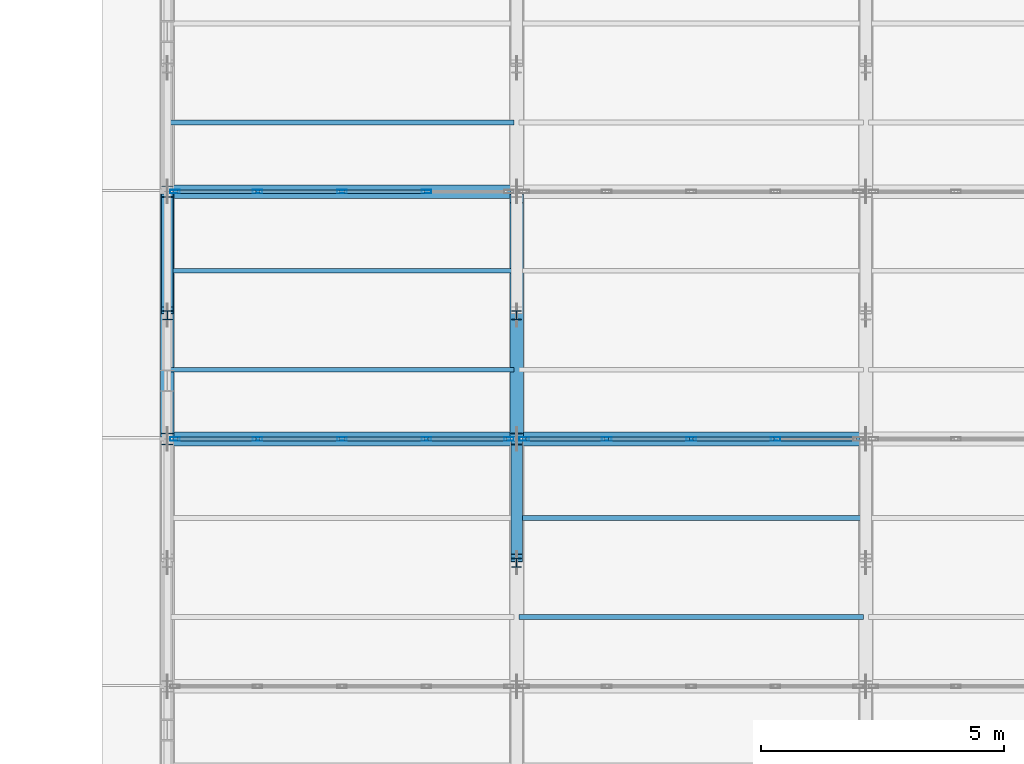
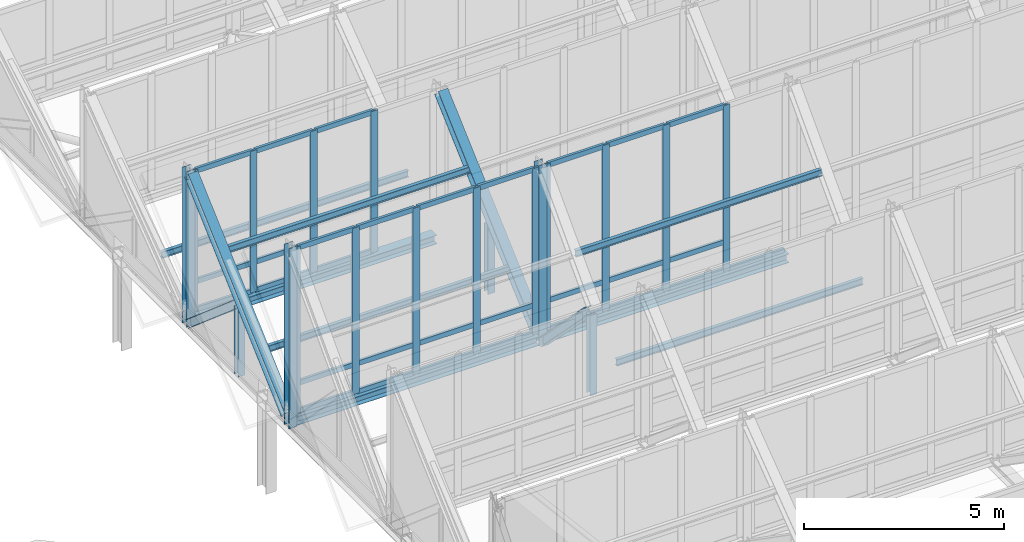
# One storey, part 44 of 157: 59 members, 3 beams, 3 elements without a shape of their own.
"""IFC4 building model written with IfcOpenShell, lengths in metres."""

from ifc_helpers import new_model, si_unit, direction, frame, origin, origin_2d, place, context, subcontext, project, spatial, hollow_rectangle, i_section, extrude, material, material_profile, profile_set, type_object, element, aggregate, save


model = new_model("IFC4")

# Units and contexts
model_context = context("Model", 3, precision=1e-05, world=origin(), true_north=direction((0.0, 1.0)))
body_context = subcontext(model_context, "Body", "Model", "MODEL_VIEW")
ifc_project = project(units=[si_unit("LENGTHUNIT", "METRE"), si_unit("AREAUNIT", "SQUARE_METRE"), si_unit("VOLUMEUNIT", "CUBIC_METRE"), si_unit("PLANEANGLEUNIT", "RADIAN"), si_unit("MASSUNIT", "GRAM", prefix="KILO")], contexts=[model_context])

# Site, building, storey
site_placement = place(None, origin())
site = spatial("IfcSite", under=ifc_project, at=site_placement, CompositionType="ELEMENT")
building_placement = place(site_placement, origin())
building = spatial("IfcBuilding", under=site, at=building_placement, Name="Suanplinth Sawtooth Commons", CompositionType="ELEMENT")
storey_placement = place(building_placement, frame((0.0, 0.0, 9.0)))
storey = spatial("IfcBuildingStorey", under=building, at=storey_placement, Name="L02", CompositionType="ELEMENT", Elevation=9.0)

# Beams
ifc_material_1 = material(Name="Steel S355JR", Category="steel")
ifc_material_profile_1 = material_profile(ifc_material_1, i_section(OverallWidth=0.280029296875, OverallDepth=0.27001953125, WebThickness=0.008056640625, FlangeThickness=0.012939453125, at=origin_2d()), Name="HEA 280")
ifc_profile_set_1 = profile_set([ifc_material_profile_1], Name="Steel S355JR")
beam_type = type_object("IfcBeamType", Name="B-16", PredefinedType="USERDEFINED", material=ifc_profile_set_1)
for number, where, z_axis, x_axis, name in (
    (1, (64.919921875, 70.800048828125, 2.820068359375), (1.0, 0.0, 0.0), (0.0, 1.0, 0.0), "Sawtooth Valley Girder T5-B1"),
    (2, (72.1201171875, 70.800048828125, 2.820068359375), (1.0, 0.0, 0.0), (0.0, 1.0, 0.0), "Sawtooth Valley Girder T5-B2"),
    (3, (64.919921875, 75.89990234375, 2.820068359375), (1.0, 0.0, 0.0), (0.0, 1.0, 0.0), "Sawtooth Valley Girder T6-B1"),
):
    element("IfcBeam", number, at=place(storey_placement, frame(where, z_axis=z_axis, x_axis=x_axis)), inside=storey, type_object=beam_type, Name=name, ObjectType="GIRDER", PredefinedType="USERDEFINED", context=body_context, shape_type="SweptSolid", body=[
        extrude(i_section(OverallWidth=0.280029296875, OverallDepth=0.27001953125, WebThickness=0.008056640625, FlangeThickness=0.012939453125, at=origin_2d()), origin(), (0.0, 0.0, 1.0), 6.9599609375),
    ])

# Members
ifc_material_profile_2 = material_profile(ifc_material_1, i_section(OverallWidth=0.280029296875, OverallDepth=0.280029296875, WebThickness=0.010498046875, FlangeThickness=0.01806640625, at=origin_2d()), Name="HEB 280")
ifc_profile_set_2 = profile_set([ifc_material_profile_2], Name="Steel S355JR")
member_type_1 = type_object("IfcMemberType", Name="M-02", PredefinedType="CHORD", material=ifc_profile_set_2)
for number, where, z_axis, x_axis, name in (
    (4, (64.800048828125, 70.93994140625, 2.919921875), (0.0, 0.740839311711, 0.671682301556), (-1.0, 0.0, 0.0), "Sawtooth Truss T1 Top Chord 5"),
    (5, (72.0, 70.93994140625, 2.919921875), (0.0, 0.740839311711, 0.671682301556), (-1.0, 0.0, 0.0), "Sawtooth Truss T2 Top Chord 5"),
):
    element("IfcMember", number, at=place(storey_placement, frame(where, z_axis=z_axis, x_axis=x_axis)), inside=storey, type_object=member_type_1, Name=name, PredefinedType="CHORD", context=body_context, shape_type="SweptSolid", body=[
        extrude(i_section(OverallWidth=0.280029296875, OverallDepth=0.280029296875, WebThickness=0.010498046875, FlangeThickness=0.01806640625, at=origin_2d()), origin(), (0.0, 0.0, 1.0), 6.50634765625),
    ])
ifc_material_profile_3 = material_profile(ifc_material_1, i_section(OverallWidth=0.239990234375, OverallDepth=0.22998046875, WebThickness=0.007568359375, FlangeThickness=0.011962890625, at=origin_2d()), Name="HEA 240")
ifc_profile_set_3 = profile_set([ifc_material_profile_3], Name="Steel S355JR")
member_type_2 = type_object("IfcMemberType", Name="M-03", PredefinedType="BRACE", material=ifc_profile_set_3)
member_1_placement = place(storey_placement, frame((64.800048828125, 73.449951171875, 4.7451171875), z_axis=(0.0, 0.759593581641, -0.65039802485), x_axis=(-1.0, 0.0, 0.0)))
element("IfcMember", 6, at=member_1_placement, inside=storey, type_object=member_type_2, Name="Sawtooth Truss T1 Web Diagonal 5", PredefinedType="BRACE", context=body_context, shape_type="SweptSolid", body=[
    extrude(i_section(OverallWidth=0.239990234375, OverallDepth=0.22998046875, WebThickness=0.007568359375, FlangeThickness=0.011962890625, at=origin_2d()), origin(), (0.0, 0.0, 1.0), 3.067626953125),
])
member_2_placement = place(storey_placement, frame((72.0, 68.35009765625, 5.1201171875), z_axis=(0.0, 0.701020432133, -0.713141187797), x_axis=(-1.0, 0.0, 0.0)))
element("IfcMember", 7, at=member_2_placement, inside=storey, type_object=member_type_2, Name="Sawtooth Truss T2 Web Diagonal 4", PredefinedType="BRACE", context=body_context, shape_type="SweptSolid", body=[
    extrude(i_section(OverallWidth=0.239990234375, OverallDepth=0.22998046875, WebThickness=0.007568359375, FlangeThickness=0.011962890625, at=origin_2d()), origin(), (0.0, 0.0, 1.0), 3.323486328125),
])
ifc_material_profile_4 = material_profile(ifc_material_1, i_section(OverallWidth=0.199951171875, OverallDepth=0.18994140625, WebThickness=0.006591796875, FlangeThickness=0.010009765625, at=origin_2d()), Name="HEA 200")
ifc_profile_set_4 = profile_set([ifc_material_profile_4], Name="Steel S355JR")
member_type_3 = type_object("IfcMemberType", Name="M-04", PredefinedType="BRACE", material=ifc_profile_set_4)
member_3_placement = place(storey_placement, frame((64.800048828125, 73.35009765625, 2.64990234375), z_axis=(0.0, 0.0, 1.0), x_axis=(1.0, 0.0, 0.0)))
element("IfcMember", 8, at=member_3_placement, inside=storey, type_object=member_type_3, Name="Sawtooth Truss T1 Mid Web Post 5", PredefinedType="BRACE", context=body_context, shape_type="SweptSolid", body=[
    extrude(i_section(OverallWidth=0.199951171875, OverallDepth=0.18994140625, WebThickness=0.006591796875, FlangeThickness=0.010009765625, at=origin_2d()), origin(), (0.0, 0.0, 1.0), 2.0751953125),
])
member_4_placement = place(storey_placement, frame((72.0, 68.25, 2.64990234375), z_axis=(0.0, 0.0, 1.0), x_axis=(1.0, 0.0, 0.0)))
element("IfcMember", 9, at=member_4_placement, inside=storey, type_object=member_type_3, Name="Sawtooth Truss T2 Mid Web Post 4", PredefinedType="BRACE", context=body_context, shape_type="SweptSolid", body=[
    extrude(i_section(OverallWidth=0.199951171875, OverallDepth=0.18994140625, WebThickness=0.006591796875, FlangeThickness=0.010009765625, at=origin_2d()), origin(), (0.0, 0.0, 1.0), 2.4501953125),
])
member_5_placement = place(storey_placement, frame((72.0, 73.35009765625, 2.64990234375), z_axis=(0.0, 0.0, 1.0), x_axis=(1.0, 0.0, 0.0)))
element("IfcMember", 10, at=member_5_placement, inside=storey, type_object=member_type_3, Name="Sawtooth Truss T2 Mid Web Post 5", PredefinedType="BRACE", context=body_context, shape_type="SweptSolid", body=[
    extrude(i_section(OverallWidth=0.199951171875, OverallDepth=0.18994140625, WebThickness=0.006591796875, FlangeThickness=0.010009765625, at=origin_2d()), origin(), (0.0, 0.0, 1.0), 2.0751953125),
])
ifc_material_profile_5 = material_profile(ifc_material_1, i_section(OverallWidth=0.239990234375, OverallDepth=0.239990234375, WebThickness=0.010009765625, FlangeThickness=0.01708984375, at=origin_2d()), Name="HEB 240")
ifc_profile_set_5 = profile_set([ifc_material_profile_5], Name="Steel S355JR")
member_type_4 = type_object("IfcMemberType", Name="M-05", PredefinedType="POST", material=ifc_profile_set_5)
member_6_placement = place(storey_placement, frame((64.800048828125, 70.800048828125, 2.64990234375), z_axis=(0.0, 0.0, 1.0), x_axis=(1.0, 0.0, 0.0)))
element("IfcMember", 11, at=member_6_placement, inside=storey, type_object=member_type_4, Name="Sawtooth Truss T1 Clerestory Post 4", PredefinedType="POST", context=body_context, shape_type="SweptSolid", body=[
    extrude(i_section(OverallWidth=0.239990234375, OverallDepth=0.239990234375, WebThickness=0.010009765625, FlangeThickness=0.01708984375, at=origin_2d()), origin(), (0.0, 0.0, 1.0), 5.489990234375),
])
member_7_placement = place(storey_placement, frame((64.800048828125, 75.89990234375, 2.64990234375), z_axis=(0.0, 0.0, 1.0), x_axis=(1.0, 0.0, 0.0)))
element("IfcMember", 12, at=member_7_placement, inside=storey, type_object=member_type_4, Name="Sawtooth Truss T1 Clerestory Post 5", PredefinedType="POST", context=body_context, shape_type="SweptSolid", body=[
    extrude(i_section(OverallWidth=0.239990234375, OverallDepth=0.239990234375, WebThickness=0.010009765625, FlangeThickness=0.01708984375, at=origin_2d()), origin(), (0.0, 0.0, 1.0), 4.739990234375),
])
member_8_placement = place(storey_placement, frame((72.0, 70.800048828125, 2.64990234375), z_axis=(0.0, 0.0, 1.0), x_axis=(1.0, 0.0, 0.0)))
element("IfcMember", 13, at=member_8_placement, inside=storey, type_object=member_type_4, Name="Sawtooth Truss T2 Clerestory Post 4", PredefinedType="POST", context=body_context, shape_type="SweptSolid", body=[
    extrude(i_section(OverallWidth=0.239990234375, OverallDepth=0.239990234375, WebThickness=0.010009765625, FlangeThickness=0.01708984375, at=origin_2d()), origin(), (0.0, 0.0, 1.0), 5.489990234375),
])
ifc_material_2 = material(Name="Steel SS400", Category="steel")
ifc_material_profile_6 = material_profile(ifc_material_2, i_section(OverallWidth=0.10009765625, OverallDepth=0.199951171875, WebThickness=0.005615234375, FlangeThickness=0.008544921875, at=origin_2d()), Name="IPE 200")
ifc_profile_set_6 = profile_set([ifc_material_profile_6], Name="Steel SS400")
member_type_5 = type_object("IfcMemberType", Name="M-06", PredefinedType="PURLIN", material=ifc_profile_set_6)
for number, where, z_axis, x_axis, name in (
    (14, (72.050048828125, 67.1279296875, 4.2587890625), (1.0, 0.0, 0.0), (0.0, 1.0, 0.0), "Sawtooth Roof Purlin T4-B2-P1"),
    (15, (72.050048828125, 69.16796875, 6.3388671875), (1.0, 0.0, 0.0), (0.0, 1.0, 0.0), "Sawtooth Roof Purlin T4-B2-P2"),
    (16, (64.85009765625, 72.22802734375, 4.067138671875), (1.0, 0.0, 0.0), (0.0, 1.0, 0.0), "Sawtooth Roof Purlin T5-B1-P1"),
    (17, (64.85009765625, 74.26806640625, 5.84716796875), (1.0, 0.0, 0.0), (0.0, 1.0, 0.0), "Sawtooth Roof Purlin T5-B1-P2"),
    (18, (64.85009765625, 77.327880859375, 3.87353515625), (1.0, 0.0, 0.0), (0.0, 1.0, 0.0), "Sawtooth Roof Purlin T6-B1-P1"),
):
    element("IfcMember", number, at=place(storey_placement, frame(where, z_axis=z_axis, x_axis=x_axis)), inside=storey, type_object=member_type_5, Name=name, PredefinedType="PURLIN", context=body_context, shape_type="SweptSolid", body=[
        extrude(i_section(OverallWidth=0.10009765625, OverallDepth=0.199951171875, WebThickness=0.005615234375, FlangeThickness=0.008544921875, at=origin_2d()), origin(), (0.0, 0.0, 1.0), 7.099853515625),
    ])

# Curtain wall, members
ifc_material_3 = material(Name="Anodized aluminium and low-E glazing", Category="aluminium")
curtain_wall_type = type_object("IfcCurtainWallType", Name="CW-03", PredefinedType="USERDEFINED", material=ifc_material_3)
curtain_wall_1_placement = place(storey_placement, origin())
curtain_wall_1 = element("IfcCurtainWall", 19, at=curtain_wall_1_placement, inside=storey, type_object=curtain_wall_type, Name="Curtain Wall CW-SAW-T4-B1", ObjectType="CURTAIN WALL", PredefinedType="USERDEFINED")
ifc_material_4 = material(Name="Anodized aluminium 6063-T6", Category="aluminium")
ifc_material_profile_7 = material_profile(ifc_material_4, hollow_rectangle(XDim=0.074951171875, YDim=0.199951171875, WallThickness=0.0048828125, at=origin_2d()), Name="ALU-MUL 75x200")
ifc_profile_set_7 = profile_set([ifc_material_profile_7], Name="Anodized aluminium 6063-T6")
member_type_6 = type_object("IfcMemberType", Name="M-14", PredefinedType="MULLION", material=ifc_profile_set_7)
member_9_placement = place(storey_placement, frame((64.95751953125, 70.800048828125, 2.97998046875), z_axis=(0.0, 0.0, 1.0), x_axis=(0.0, 1.0, 0.0)))
member_9 = element("IfcMember", 20, at=member_9_placement, type_object=member_type_6, Name="CW-03 mullion 1", PredefinedType="MULLION", context=body_context, shape_type="SweptSolid", body=[
    extrude(hollow_rectangle(XDim=0.074951171875, YDim=0.199951171875, WallThickness=0.0048828125, at=origin_2d()), origin(), (0.0, 0.0, 1.0), 5.06005859375),
])
member_10_placement = place(storey_placement, frame((66.659912109375, 70.800048828125, 2.97998046875), z_axis=(0.0, 0.0, 1.0), x_axis=(0.0, 1.0, 0.0)))
member_10 = element("IfcMember", 21, at=member_10_placement, type_object=member_type_6, Name="CW-03 mullion 2", PredefinedType="MULLION", context=body_context, shape_type="SweptSolid", body=[
    extrude(hollow_rectangle(XDim=0.074951171875, YDim=0.199951171875, WallThickness=0.0048828125, at=origin_2d()), origin(), (0.0, 0.0, 1.0), 5.06005859375),
])
member_11_placement = place(storey_placement, frame((68.39990234375, 70.800048828125, 2.97998046875), z_axis=(0.0, 0.0, 1.0), x_axis=(0.0, 1.0, 0.0)))
member_11 = element("IfcMember", 22, at=member_11_placement, type_object=member_type_6, Name="CW-03 mullion 3", PredefinedType="MULLION", context=body_context, shape_type="SweptSolid", body=[
    extrude(hollow_rectangle(XDim=0.074951171875, YDim=0.199951171875, WallThickness=0.0048828125, at=origin_2d()), origin(), (0.0, 0.0, 1.0), 5.06005859375),
])
member_12_placement = place(storey_placement, frame((70.139892578125, 70.800048828125, 2.97998046875), z_axis=(0.0, 0.0, 1.0), x_axis=(0.0, 1.0, 0.0)))
member_12 = element("IfcMember", 23, at=member_12_placement, type_object=member_type_6, Name="CW-03 mullion 4", PredefinedType="MULLION", context=body_context, shape_type="SweptSolid", body=[
    extrude(hollow_rectangle(XDim=0.074951171875, YDim=0.199951171875, WallThickness=0.0048828125, at=origin_2d()), origin(), (0.0, 0.0, 1.0), 5.06005859375),
])
member_13_placement = place(storey_placement, frame((71.842529296875, 70.800048828125, 2.97998046875), z_axis=(0.0, 0.0, 1.0), x_axis=(0.0, 1.0, 0.0)))
member_13 = element("IfcMember", 24, at=member_13_placement, type_object=member_type_6, Name="CW-03 mullion 5", PredefinedType="MULLION", context=body_context, shape_type="SweptSolid", body=[
    extrude(hollow_rectangle(XDim=0.074951171875, YDim=0.199951171875, WallThickness=0.0048828125, at=origin_2d()), origin(), (0.0, 0.0, 1.0), 5.06005859375),
])

curtain_wall_2_placement = place(storey_placement, origin())
curtain_wall_2 = element("IfcCurtainWall", 25, at=curtain_wall_2_placement, inside=storey, type_object=curtain_wall_type, Name="Curtain Wall CW-SAW-T4-B2", ObjectType="CURTAIN WALL", PredefinedType="USERDEFINED")
member_14_placement = place(storey_placement, frame((72.157470703125, 70.800048828125, 2.97998046875), z_axis=(0.0, 0.0, 1.0), x_axis=(0.0, 1.0, 0.0)))
member_14 = element("IfcMember", 26, at=member_14_placement, type_object=member_type_6, Name="CW-03 mullion 1", PredefinedType="MULLION", context=body_context, shape_type="SweptSolid", body=[
    extrude(hollow_rectangle(XDim=0.074951171875, YDim=0.199951171875, WallThickness=0.0048828125, at=origin_2d()), origin(), (0.0, 0.0, 1.0), 5.06005859375),
])
member_15_placement = place(storey_placement, frame((73.860107421875, 70.800048828125, 2.97998046875), z_axis=(0.0, 0.0, 1.0), x_axis=(0.0, 1.0, 0.0)))
member_15 = element("IfcMember", 27, at=member_15_placement, type_object=member_type_6, Name="CW-03 mullion 2", PredefinedType="MULLION", context=body_context, shape_type="SweptSolid", body=[
    extrude(hollow_rectangle(XDim=0.074951171875, YDim=0.199951171875, WallThickness=0.0048828125, at=origin_2d()), origin(), (0.0, 0.0, 1.0), 5.06005859375),
])
member_16_placement = place(storey_placement, frame((75.60009765625, 70.800048828125, 2.97998046875), z_axis=(0.0, 0.0, 1.0), x_axis=(0.0, 1.0, 0.0)))
member_16 = element("IfcMember", 28, at=member_16_placement, type_object=member_type_6, Name="CW-03 mullion 3", PredefinedType="MULLION", context=body_context, shape_type="SweptSolid", body=[
    extrude(hollow_rectangle(XDim=0.074951171875, YDim=0.199951171875, WallThickness=0.0048828125, at=origin_2d()), origin(), (0.0, 0.0, 1.0), 5.06005859375),
])
member_17_placement = place(storey_placement, frame((77.340087890625, 70.800048828125, 2.97998046875), z_axis=(0.0, 0.0, 1.0), x_axis=(0.0, 1.0, 0.0)))
member_17 = element("IfcMember", 29, at=member_17_placement, type_object=member_type_6, Name="CW-03 mullion 4", PredefinedType="MULLION", context=body_context, shape_type="SweptSolid", body=[
    extrude(hollow_rectangle(XDim=0.074951171875, YDim=0.199951171875, WallThickness=0.0048828125, at=origin_2d()), origin(), (0.0, 0.0, 1.0), 5.06005859375),
])

curtain_wall_3_placement = place(storey_placement, origin())
curtain_wall_3 = element("IfcCurtainWall", 30, at=curtain_wall_3_placement, inside=storey, type_object=curtain_wall_type, Name="Curtain Wall CW-SAW-T5-B1", ObjectType="CURTAIN WALL", PredefinedType="USERDEFINED")
member_18_placement = place(storey_placement, frame((64.95751953125, 75.89990234375, 2.97998046875), z_axis=(0.0, 0.0, 1.0), x_axis=(0.0, 1.0, 0.0)))
member_18 = element("IfcMember", 31, at=member_18_placement, type_object=member_type_6, Name="CW-03 mullion 1", PredefinedType="MULLION", context=body_context, shape_type="SweptSolid", body=[
    extrude(hollow_rectangle(XDim=0.074951171875, YDim=0.199951171875, WallThickness=0.0048828125, at=origin_2d()), origin(), (0.0, 0.0, 1.0), 4.31005859375),
])
member_19_placement = place(storey_placement, frame((66.659912109375, 75.89990234375, 2.97998046875), z_axis=(0.0, 0.0, 1.0), x_axis=(0.0, 1.0, 0.0)))
member_19 = element("IfcMember", 32, at=member_19_placement, type_object=member_type_6, Name="CW-03 mullion 2", PredefinedType="MULLION", context=body_context, shape_type="SweptSolid", body=[
    extrude(hollow_rectangle(XDim=0.074951171875, YDim=0.199951171875, WallThickness=0.0048828125, at=origin_2d()), origin(), (0.0, 0.0, 1.0), 4.31005859375),
])
member_20_placement = place(storey_placement, frame((68.39990234375, 75.89990234375, 2.97998046875), z_axis=(0.0, 0.0, 1.0), x_axis=(0.0, 1.0, 0.0)))
member_20 = element("IfcMember", 33, at=member_20_placement, type_object=member_type_6, Name="CW-03 mullion 3", PredefinedType="MULLION", context=body_context, shape_type="SweptSolid", body=[
    extrude(hollow_rectangle(XDim=0.074951171875, YDim=0.199951171875, WallThickness=0.0048828125, at=origin_2d()), origin(), (0.0, 0.0, 1.0), 4.31005859375),
])
member_21_placement = place(storey_placement, frame((70.139892578125, 75.89990234375, 2.97998046875), z_axis=(0.0, 0.0, 1.0), x_axis=(0.0, 1.0, 0.0)))
member_21 = element("IfcMember", 34, at=member_21_placement, type_object=member_type_6, Name="CW-03 mullion 4", PredefinedType="MULLION", context=body_context, shape_type="SweptSolid", body=[
    extrude(hollow_rectangle(XDim=0.074951171875, YDim=0.199951171875, WallThickness=0.0048828125, at=origin_2d()), origin(), (0.0, 0.0, 1.0), 4.31005859375),
])

# Member
ifc_material_profile_8 = material_profile(ifc_material_4, hollow_rectangle(XDim=0.074951171875, YDim=0.14990234375, WallThickness=0.00439453125, at=origin_2d()), Name="ALU-TRN 75x150")
ifc_profile_set_8 = profile_set([ifc_material_profile_8], Name="Anodized aluminium 6063-T6")
member_type_7 = type_object("IfcMemberType", Name="M-16", PredefinedType="USERDEFINED", material=ifc_profile_set_8)
member_22_placement = place(storey_placement, frame((64.9951171875, 70.800048828125, 3.017578125), z_axis=(1.0, 0.0, 0.0), x_axis=(0.0, 1.0, 0.0)))
member_22 = element("IfcMember", 35, at=member_22_placement, type_object=member_type_7, Name="CW-03 transom 1.1", ObjectType="TRANSOM", PredefinedType="USERDEFINED", context=body_context, shape_type="SweptSolid", body=[
    extrude(hollow_rectangle(XDim=0.074951171875, YDim=0.14990234375, WallThickness=0.00439453125, at=origin_2d()), origin(), (0.0, 0.0, 1.0), 1.62744140625),
])

member_23_placement = place(storey_placement, frame((64.9951171875, 70.800048828125, 3.8798828125), z_axis=(1.0, 0.0, 0.0), x_axis=(0.0, 1.0, 0.0)))
member_23 = element("IfcMember", 36, at=member_23_placement, type_object=member_type_7, Name="CW-03 transom 1.2", ObjectType="TRANSOM", PredefinedType="USERDEFINED", context=body_context, shape_type="SweptSolid", body=[
    extrude(hollow_rectangle(XDim=0.074951171875, YDim=0.14990234375, WallThickness=0.00439453125, at=origin_2d()), origin(), (0.0, 0.0, 1.0), 1.62744140625),
])

member_24_placement = place(storey_placement, frame((64.9951171875, 70.800048828125, 8.00244140625), z_axis=(1.0, 0.0, 0.0), x_axis=(0.0, 1.0, 0.0)))
member_24 = element("IfcMember", 37, at=member_24_placement, type_object=member_type_7, Name="CW-03 transom 1.3", ObjectType="TRANSOM", PredefinedType="USERDEFINED", context=body_context, shape_type="SweptSolid", body=[
    extrude(hollow_rectangle(XDim=0.074951171875, YDim=0.14990234375, WallThickness=0.00439453125, at=origin_2d()), origin(), (0.0, 0.0, 1.0), 1.62744140625),
])

member_25_placement = place(storey_placement, frame((66.697509765625, 70.800048828125, 3.017578125), z_axis=(1.0, 0.0, 0.0), x_axis=(0.0, 1.0, 0.0)))
member_25 = element("IfcMember", 38, at=member_25_placement, type_object=member_type_7, Name="CW-03 transom 2.1", ObjectType="TRANSOM", PredefinedType="USERDEFINED", context=body_context, shape_type="SweptSolid", body=[
    extrude(hollow_rectangle(XDim=0.074951171875, YDim=0.14990234375, WallThickness=0.00439453125, at=origin_2d()), origin(), (0.0, 0.0, 1.0), 1.6650390625),
])

member_26_placement = place(storey_placement, frame((66.697509765625, 70.800048828125, 3.8798828125), z_axis=(1.0, 0.0, 0.0), x_axis=(0.0, 1.0, 0.0)))
member_26 = element("IfcMember", 39, at=member_26_placement, type_object=member_type_7, Name="CW-03 transom 2.2", ObjectType="TRANSOM", PredefinedType="USERDEFINED", context=body_context, shape_type="SweptSolid", body=[
    extrude(hollow_rectangle(XDim=0.074951171875, YDim=0.14990234375, WallThickness=0.00439453125, at=origin_2d()), origin(), (0.0, 0.0, 1.0), 1.6650390625),
])

member_27_placement = place(storey_placement, frame((66.697509765625, 70.800048828125, 8.00244140625), z_axis=(1.0, 0.0, 0.0), x_axis=(0.0, 1.0, 0.0)))
member_27 = element("IfcMember", 40, at=member_27_placement, type_object=member_type_7, Name="CW-03 transom 2.3", ObjectType="TRANSOM", PredefinedType="USERDEFINED", context=body_context, shape_type="SweptSolid", body=[
    extrude(hollow_rectangle(XDim=0.074951171875, YDim=0.14990234375, WallThickness=0.00439453125, at=origin_2d()), origin(), (0.0, 0.0, 1.0), 1.6650390625),
])

member_28_placement = place(storey_placement, frame((68.4375, 70.800048828125, 3.017578125), z_axis=(1.0, 0.0, 0.0), x_axis=(0.0, 1.0, 0.0)))
member_28 = element("IfcMember", 41, at=member_28_placement, type_object=member_type_7, Name="CW-03 transom 3.1", ObjectType="TRANSOM", PredefinedType="USERDEFINED", context=body_context, shape_type="SweptSolid", body=[
    extrude(hollow_rectangle(XDim=0.074951171875, YDim=0.14990234375, WallThickness=0.00439453125, at=origin_2d()), origin(), (0.0, 0.0, 1.0), 1.6650390625),
])

member_29_placement = place(storey_placement, frame((68.4375, 70.800048828125, 3.8798828125), z_axis=(1.0, 0.0, 0.0), x_axis=(0.0, 1.0, 0.0)))
member_29 = element("IfcMember", 42, at=member_29_placement, type_object=member_type_7, Name="CW-03 transom 3.2", ObjectType="TRANSOM", PredefinedType="USERDEFINED", context=body_context, shape_type="SweptSolid", body=[
    extrude(hollow_rectangle(XDim=0.074951171875, YDim=0.14990234375, WallThickness=0.00439453125, at=origin_2d()), origin(), (0.0, 0.0, 1.0), 1.6650390625),
])

member_30_placement = place(storey_placement, frame((68.4375, 70.800048828125, 8.00244140625), z_axis=(1.0, 0.0, 0.0), x_axis=(0.0, 1.0, 0.0)))
member_30 = element("IfcMember", 43, at=member_30_placement, type_object=member_type_7, Name="CW-03 transom 3.3", ObjectType="TRANSOM", PredefinedType="USERDEFINED", context=body_context, shape_type="SweptSolid", body=[
    extrude(hollow_rectangle(XDim=0.074951171875, YDim=0.14990234375, WallThickness=0.00439453125, at=origin_2d()), origin(), (0.0, 0.0, 1.0), 1.6650390625),
])

member_31_placement = place(storey_placement, frame((70.177490234375, 70.800048828125, 3.017578125), z_axis=(1.0, 0.0, 0.0), x_axis=(0.0, 1.0, 0.0)))
member_31 = element("IfcMember", 44, at=member_31_placement, type_object=member_type_7, Name="CW-03 transom 4.1", ObjectType="TRANSOM", PredefinedType="USERDEFINED", context=body_context, shape_type="SweptSolid", body=[
    extrude(hollow_rectangle(XDim=0.074951171875, YDim=0.14990234375, WallThickness=0.00439453125, at=origin_2d()), origin(), (0.0, 0.0, 1.0), 1.62744140625),
])

member_32_placement = place(storey_placement, frame((70.177490234375, 70.800048828125, 3.8798828125), z_axis=(1.0, 0.0, 0.0), x_axis=(0.0, 1.0, 0.0)))
member_32 = element("IfcMember", 45, at=member_32_placement, type_object=member_type_7, Name="CW-03 transom 4.2", ObjectType="TRANSOM", PredefinedType="USERDEFINED", context=body_context, shape_type="SweptSolid", body=[
    extrude(hollow_rectangle(XDim=0.074951171875, YDim=0.14990234375, WallThickness=0.00439453125, at=origin_2d()), origin(), (0.0, 0.0, 1.0), 1.62744140625),
])

member_33_placement = place(storey_placement, frame((70.177490234375, 70.800048828125, 8.00244140625), z_axis=(1.0, 0.0, 0.0), x_axis=(0.0, 1.0, 0.0)))
member_33 = element("IfcMember", 46, at=member_33_placement, type_object=member_type_7, Name="CW-03 transom 4.3", ObjectType="TRANSOM", PredefinedType="USERDEFINED", context=body_context, shape_type="SweptSolid", body=[
    extrude(hollow_rectangle(XDim=0.074951171875, YDim=0.14990234375, WallThickness=0.00439453125, at=origin_2d()), origin(), (0.0, 0.0, 1.0), 1.62744140625),
])

aggregate(curtain_wall_1, [member_9, member_10, member_11, member_12, member_13, member_22, member_23, member_24, member_25, member_26, member_27, member_28, member_29, member_30, member_31, member_32, member_33])

member_34_placement = place(storey_placement, frame((72.195068359375, 70.800048828125, 3.017578125), z_axis=(1.0, 0.0, 0.0), x_axis=(0.0, 1.0, 0.0)))
member_34 = element("IfcMember", 47, at=member_34_placement, type_object=member_type_7, Name="CW-03 transom 1.1", ObjectType="TRANSOM", PredefinedType="USERDEFINED", context=body_context, shape_type="SweptSolid", body=[
    extrude(hollow_rectangle(XDim=0.074951171875, YDim=0.14990234375, WallThickness=0.00439453125, at=origin_2d()), origin(), (0.0, 0.0, 1.0), 1.62744140625),
])

member_35_placement = place(storey_placement, frame((72.195068359375, 70.800048828125, 3.8798828125), z_axis=(1.0, 0.0, 0.0), x_axis=(0.0, 1.0, 0.0)))
member_35 = element("IfcMember", 48, at=member_35_placement, type_object=member_type_7, Name="CW-03 transom 1.2", ObjectType="TRANSOM", PredefinedType="USERDEFINED", context=body_context, shape_type="SweptSolid", body=[
    extrude(hollow_rectangle(XDim=0.074951171875, YDim=0.14990234375, WallThickness=0.00439453125, at=origin_2d()), origin(), (0.0, 0.0, 1.0), 1.62744140625),
])

member_36_placement = place(storey_placement, frame((72.195068359375, 70.800048828125, 8.00244140625), z_axis=(1.0, 0.0, 0.0), x_axis=(0.0, 1.0, 0.0)))
member_36 = element("IfcMember", 49, at=member_36_placement, type_object=member_type_7, Name="CW-03 transom 1.3", ObjectType="TRANSOM", PredefinedType="USERDEFINED", context=body_context, shape_type="SweptSolid", body=[
    extrude(hollow_rectangle(XDim=0.074951171875, YDim=0.14990234375, WallThickness=0.00439453125, at=origin_2d()), origin(), (0.0, 0.0, 1.0), 1.62744140625),
])

member_37_placement = place(storey_placement, frame((73.8974609375, 70.800048828125, 3.017578125), z_axis=(1.0, 0.0, 0.0), x_axis=(0.0, 1.0, 0.0)))
member_37 = element("IfcMember", 50, at=member_37_placement, type_object=member_type_7, Name="CW-03 transom 2.1", ObjectType="TRANSOM", PredefinedType="USERDEFINED", context=body_context, shape_type="SweptSolid", body=[
    extrude(hollow_rectangle(XDim=0.074951171875, YDim=0.14990234375, WallThickness=0.00439453125, at=origin_2d()), origin(), (0.0, 0.0, 1.0), 1.6650390625),
])

member_38_placement = place(storey_placement, frame((73.8974609375, 70.800048828125, 3.8798828125), z_axis=(1.0, 0.0, 0.0), x_axis=(0.0, 1.0, 0.0)))
member_38 = element("IfcMember", 51, at=member_38_placement, type_object=member_type_7, Name="CW-03 transom 2.2", ObjectType="TRANSOM", PredefinedType="USERDEFINED", context=body_context, shape_type="SweptSolid", body=[
    extrude(hollow_rectangle(XDim=0.074951171875, YDim=0.14990234375, WallThickness=0.00439453125, at=origin_2d()), origin(), (0.0, 0.0, 1.0), 1.6650390625),
])

member_39_placement = place(storey_placement, frame((73.8974609375, 70.800048828125, 8.00244140625), z_axis=(1.0, 0.0, 0.0), x_axis=(0.0, 1.0, 0.0)))
member_39 = element("IfcMember", 52, at=member_39_placement, type_object=member_type_7, Name="CW-03 transom 2.3", ObjectType="TRANSOM", PredefinedType="USERDEFINED", context=body_context, shape_type="SweptSolid", body=[
    extrude(hollow_rectangle(XDim=0.074951171875, YDim=0.14990234375, WallThickness=0.00439453125, at=origin_2d()), origin(), (0.0, 0.0, 1.0), 1.6650390625),
])

member_40_placement = place(storey_placement, frame((75.637451171875, 70.800048828125, 3.017578125), z_axis=(1.0, 0.0, 0.0), x_axis=(0.0, 1.0, 0.0)))
member_40 = element("IfcMember", 53, at=member_40_placement, type_object=member_type_7, Name="CW-03 transom 3.1", ObjectType="TRANSOM", PredefinedType="USERDEFINED", context=body_context, shape_type="SweptSolid", body=[
    extrude(hollow_rectangle(XDim=0.074951171875, YDim=0.14990234375, WallThickness=0.00439453125, at=origin_2d()), origin(), (0.0, 0.0, 1.0), 1.6650390625),
])

member_41_placement = place(storey_placement, frame((75.637451171875, 70.800048828125, 3.8798828125), z_axis=(1.0, 0.0, 0.0), x_axis=(0.0, 1.0, 0.0)))
member_41 = element("IfcMember", 54, at=member_41_placement, type_object=member_type_7, Name="CW-03 transom 3.2", ObjectType="TRANSOM", PredefinedType="USERDEFINED", context=body_context, shape_type="SweptSolid", body=[
    extrude(hollow_rectangle(XDim=0.074951171875, YDim=0.14990234375, WallThickness=0.00439453125, at=origin_2d()), origin(), (0.0, 0.0, 1.0), 1.6650390625),
])

member_42_placement = place(storey_placement, frame((75.637451171875, 70.800048828125, 8.00244140625), z_axis=(1.0, 0.0, 0.0), x_axis=(0.0, 1.0, 0.0)))
member_42 = element("IfcMember", 55, at=member_42_placement, type_object=member_type_7, Name="CW-03 transom 3.3", ObjectType="TRANSOM", PredefinedType="USERDEFINED", context=body_context, shape_type="SweptSolid", body=[
    extrude(hollow_rectangle(XDim=0.074951171875, YDim=0.14990234375, WallThickness=0.00439453125, at=origin_2d()), origin(), (0.0, 0.0, 1.0), 1.6650390625),
])

member_43_placement = place(storey_placement, frame((77.37744140625, 70.800048828125, 3.017578125), z_axis=(1.0, 0.0, 0.0), x_axis=(0.0, 1.0, 0.0)))
member_43 = element("IfcMember", 56, at=member_43_placement, type_object=member_type_7, Name="CW-03 transom 4.1", ObjectType="TRANSOM", PredefinedType="USERDEFINED", context=body_context, shape_type="SweptSolid", body=[
    extrude(hollow_rectangle(XDim=0.074951171875, YDim=0.14990234375, WallThickness=0.00439453125, at=origin_2d()), origin(), (0.0, 0.0, 1.0), 1.62744140625),
])

aggregate(curtain_wall_2, [member_14, member_15, member_16, member_17, member_34, member_35, member_36, member_37, member_38, member_39, member_40, member_41, member_42, member_43])

member_44_placement = place(storey_placement, frame((64.9951171875, 75.89990234375, 3.017578125), z_axis=(1.0, 0.0, 0.0), x_axis=(0.0, 1.0, 0.0)))
member_44 = element("IfcMember", 57, at=member_44_placement, type_object=member_type_7, Name="CW-03 transom 1.1", ObjectType="TRANSOM", PredefinedType="USERDEFINED", context=body_context, shape_type="SweptSolid", body=[
    extrude(hollow_rectangle(XDim=0.074951171875, YDim=0.14990234375, WallThickness=0.00439453125, at=origin_2d()), origin(), (0.0, 0.0, 1.0), 1.62744140625),
])

member_45_placement = place(storey_placement, frame((64.9951171875, 75.89990234375, 3.8798828125), z_axis=(1.0, 0.0, 0.0), x_axis=(0.0, 1.0, 0.0)))
member_45 = element("IfcMember", 58, at=member_45_placement, type_object=member_type_7, Name="CW-03 transom 1.2", ObjectType="TRANSOM", PredefinedType="USERDEFINED", context=body_context, shape_type="SweptSolid", body=[
    extrude(hollow_rectangle(XDim=0.074951171875, YDim=0.14990234375, WallThickness=0.00439453125, at=origin_2d()), origin(), (0.0, 0.0, 1.0), 1.62744140625),
])

member_46_placement = place(storey_placement, frame((64.9951171875, 75.89990234375, 7.25244140625), z_axis=(1.0, 0.0, 0.0), x_axis=(0.0, 1.0, 0.0)))
member_46 = element("IfcMember", 59, at=member_46_placement, type_object=member_type_7, Name="CW-03 transom 1.3", ObjectType="TRANSOM", PredefinedType="USERDEFINED", context=body_context, shape_type="SweptSolid", body=[
    extrude(hollow_rectangle(XDim=0.074951171875, YDim=0.14990234375, WallThickness=0.00439453125, at=origin_2d()), origin(), (0.0, 0.0, 1.0), 1.62744140625),
])

member_47_placement = place(storey_placement, frame((66.697509765625, 75.89990234375, 3.017578125), z_axis=(1.0, 0.0, 0.0), x_axis=(0.0, 1.0, 0.0)))
member_47 = element("IfcMember", 60, at=member_47_placement, type_object=member_type_7, Name="CW-03 transom 2.1", ObjectType="TRANSOM", PredefinedType="USERDEFINED", context=body_context, shape_type="SweptSolid", body=[
    extrude(hollow_rectangle(XDim=0.074951171875, YDim=0.14990234375, WallThickness=0.00439453125, at=origin_2d()), origin(), (0.0, 0.0, 1.0), 1.6650390625),
])

member_48_placement = place(storey_placement, frame((66.697509765625, 75.89990234375, 3.8798828125), z_axis=(1.0, 0.0, 0.0), x_axis=(0.0, 1.0, 0.0)))
member_48 = element("IfcMember", 61, at=member_48_placement, type_object=member_type_7, Name="CW-03 transom 2.2", ObjectType="TRANSOM", PredefinedType="USERDEFINED", context=body_context, shape_type="SweptSolid", body=[
    extrude(hollow_rectangle(XDim=0.074951171875, YDim=0.14990234375, WallThickness=0.00439453125, at=origin_2d()), origin(), (0.0, 0.0, 1.0), 1.6650390625),
])

member_49_placement = place(storey_placement, frame((66.697509765625, 75.89990234375, 7.25244140625), z_axis=(1.0, 0.0, 0.0), x_axis=(0.0, 1.0, 0.0)))
member_49 = element("IfcMember", 62, at=member_49_placement, type_object=member_type_7, Name="CW-03 transom 2.3", ObjectType="TRANSOM", PredefinedType="USERDEFINED", context=body_context, shape_type="SweptSolid", body=[
    extrude(hollow_rectangle(XDim=0.074951171875, YDim=0.14990234375, WallThickness=0.00439453125, at=origin_2d()), origin(), (0.0, 0.0, 1.0), 1.6650390625),
])

member_50_placement = place(storey_placement, frame((68.4375, 75.89990234375, 3.017578125), z_axis=(1.0, 0.0, 0.0), x_axis=(0.0, 1.0, 0.0)))
member_50 = element("IfcMember", 63, at=member_50_placement, type_object=member_type_7, Name="CW-03 transom 3.1", ObjectType="TRANSOM", PredefinedType="USERDEFINED", context=body_context, shape_type="SweptSolid", body=[
    extrude(hollow_rectangle(XDim=0.074951171875, YDim=0.14990234375, WallThickness=0.00439453125, at=origin_2d()), origin(), (0.0, 0.0, 1.0), 1.6650390625),
])

member_51_placement = place(storey_placement, frame((68.4375, 75.89990234375, 3.8798828125), z_axis=(1.0, 0.0, 0.0), x_axis=(0.0, 1.0, 0.0)))
member_51 = element("IfcMember", 64, at=member_51_placement, type_object=member_type_7, Name="CW-03 transom 3.2", ObjectType="TRANSOM", PredefinedType="USERDEFINED", context=body_context, shape_type="SweptSolid", body=[
    extrude(hollow_rectangle(XDim=0.074951171875, YDim=0.14990234375, WallThickness=0.00439453125, at=origin_2d()), origin(), (0.0, 0.0, 1.0), 1.6650390625),
])

member_52_placement = place(storey_placement, frame((68.4375, 75.89990234375, 7.25244140625), z_axis=(1.0, 0.0, 0.0), x_axis=(0.0, 1.0, 0.0)))
member_52 = element("IfcMember", 65, at=member_52_placement, type_object=member_type_7, Name="CW-03 transom 3.3", ObjectType="TRANSOM", PredefinedType="USERDEFINED", context=body_context, shape_type="SweptSolid", body=[
    extrude(hollow_rectangle(XDim=0.074951171875, YDim=0.14990234375, WallThickness=0.00439453125, at=origin_2d()), origin(), (0.0, 0.0, 1.0), 1.6650390625),
])

aggregate(curtain_wall_3, [member_18, member_19, member_20, member_21, member_44, member_45, member_46, member_47, member_48, member_49, member_50, member_51, member_52])

save(model, "model.ifc")
